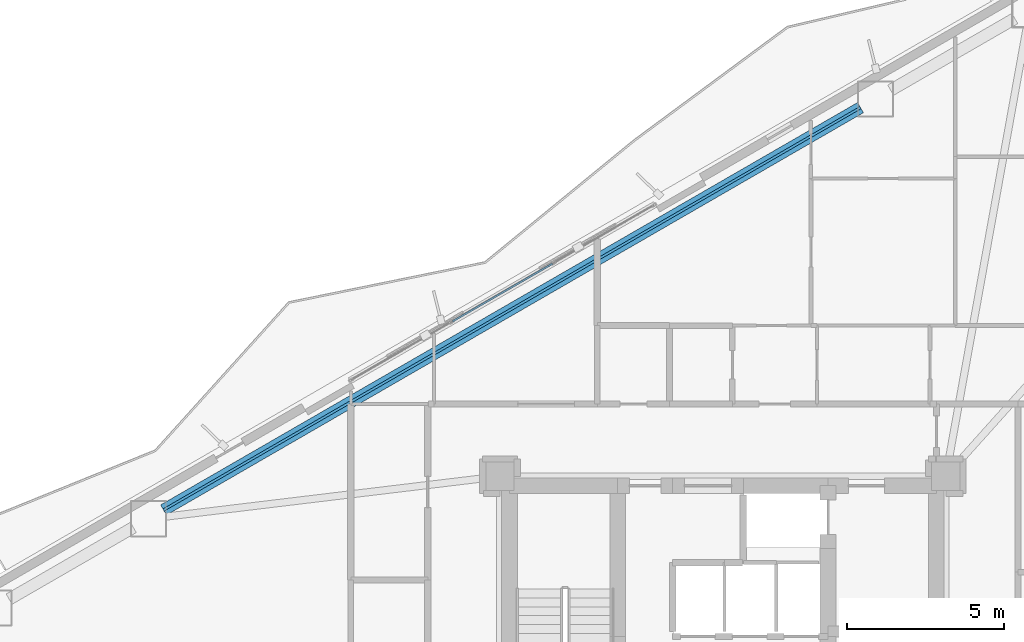
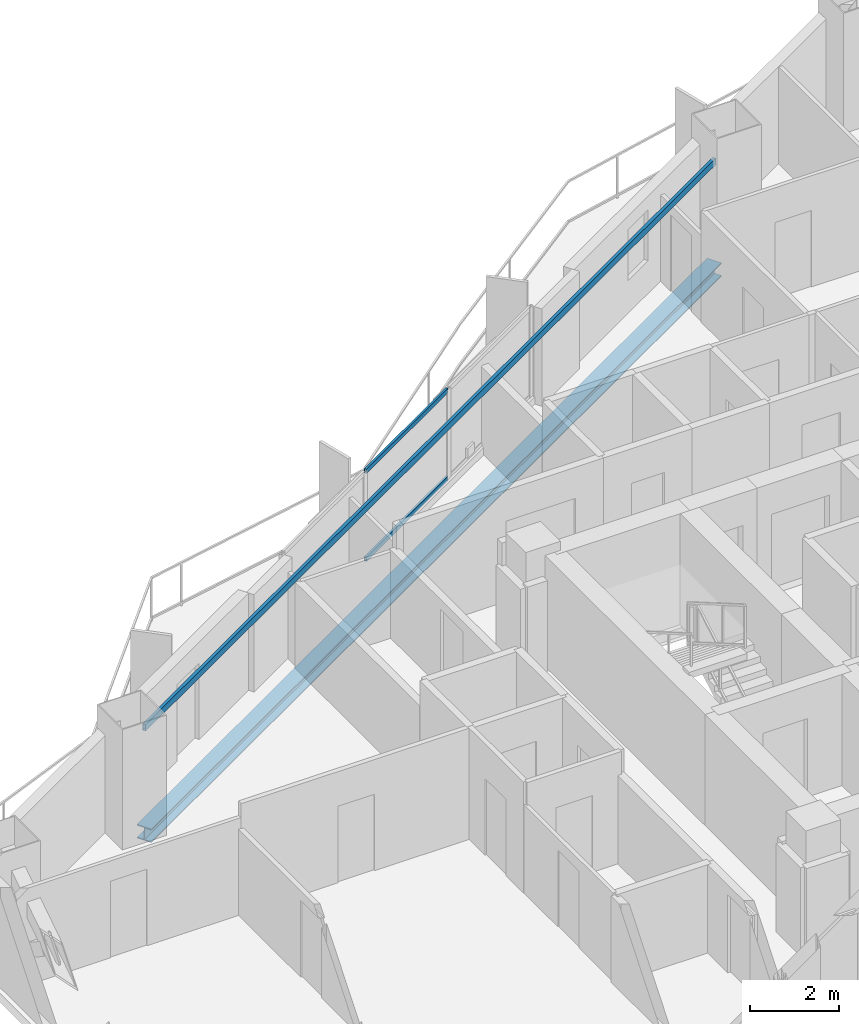
# One storey, part 12 of 22: 2 beams, 2 members, 1 element without a shape of its own.
"""IFC4 building model written with IfcOpenShell, lengths in metres."""

from ifc_helpers import new_model, si_unit, direction, frame, origin, origin_2d, place, context, subcontext, project, spatial, hollow_rectangle, i_section, extrude, material, layer, layer_set, material_profile, profile_set, type_object, element, aggregate, save


model = new_model("IFC4")

# Units and contexts
model_context = context("Model", 3, precision=1e-05, world=origin(), true_north=direction((0.0, 1.0)))
body_context = subcontext(model_context, "Body", "Model", "MODEL_VIEW")
ifc_project = project(units=[si_unit("LENGTHUNIT", "METRE"), si_unit("AREAUNIT", "SQUARE_METRE"), si_unit("VOLUMEUNIT", "CUBIC_METRE"), si_unit("PLANEANGLEUNIT", "RADIAN"), si_unit("MASSUNIT", "GRAM", prefix="KILO")], contexts=[model_context])

# Site, building, storey
site_placement = place(None, origin())
site = spatial("IfcSite", under=ifc_project, at=site_placement, CompositionType="ELEMENT")
building_placement = place(site_placement, origin())
building = spatial("IfcBuilding", under=site, at=building_placement, Name="Mersakhor Tower and Convention Hall", CompositionType="ELEMENT")
storey_placement = place(building_placement, frame((0.0, 0.0, 76.800048828125)))
storey = spatial("IfcBuildingStorey", under=building, at=storey_placement, Name="L20", CompositionType="ELEMENT", Elevation=76.800048828125)

# Beams
ifc_material_1 = material(Name="Steel S355", Category="steel")
ifc_material_profile_1 = material_profile(ifc_material_1, hollow_rectangle(XDim=0.080078125, YDim=0.179931640625, WallThickness=0.008056640625, at=origin_2d()), Name="RHS 180x80x8")
ifc_profile_set_1 = profile_set([ifc_material_profile_1], Name="Steel S355")
beam_type_1 = type_object("IfcBeamType", Name="BM-GRT-RHS180", PredefinedType="USERDEFINED", material=ifc_profile_set_1)
beam_1_placement = place(storey_placement, frame((11.18310546875, 31.976318359375, 2.47998046875), z_axis=(0.866022538643, 0.500004962538, 0.0), x_axis=(-0.500004962538, 0.866022538643, 0.0)))
element("IfcBeam", 1, at=beam_1_placement, inside=storey, type_object=beam_type_1, Name="L20 Facade Support Girt GRT-F1", ObjectType="GIRT", PredefinedType="USERDEFINED", context=body_context, shape_type="SweptSolid", body=[
    extrude(hollow_rectangle(XDim=0.080078125, YDim=0.179931640625, WallThickness=0.008056640625, at=origin_2d()), origin(), (0.0, 0.0, 1.0), 25.633544921875),
])
ifc_material_2 = material(Name="Steel S355", Category="steel")
ifc_material_profile_2 = material_profile(ifc_material_2, i_section(OverallWidth=0.374755859375, OverallDepth=0.37451171875, WebThickness=0.0166015625, FlangeThickness=0.027099609375, at=origin_2d()), Name="UC 356x368x202")
ifc_profile_set_2 = profile_set([ifc_material_profile_2], Name="Steel S355")
beam_type_2 = type_object("IfcBeamType", Name="BM-SPD-UC356", PredefinedType="SPANDREL", material=ifc_profile_set_2)
beam_2_placement = place(storey_placement, frame((11.18310546875, 31.976318359375, -0.437255859375), z_axis=(0.866022538643, 0.500004962538, 0.0), x_axis=(-0.500004962538, 0.866022538643, 0.0)))
element("IfcBeam", 2, at=beam_2_placement, inside=storey, type_object=beam_type_2, Name="L20 Perimeter Spandrel Beam SPB-02", PredefinedType="SPANDREL", context=body_context, shape_type="SweptSolid", body=[
    extrude(i_section(OverallWidth=0.374755859375, OverallDepth=0.37451171875, WebThickness=0.0166015625, FlangeThickness=0.027099609375, at=origin_2d()), origin(), (0.0, 0.0, 1.0), 25.633544921875),
])

# Curtain wall, members
ifc_material_3 = material(Name="Dark solar low-E aluminium curtain wall", Category="aluminium")
ifc_layer = layer(ifc_material_3, 0.159912109375)
ifc_layer_set = layer_set([ifc_layer], Name="Dark solar low-E aluminium curtain wall")
curtain_wall_type = type_object("IfcCurtainWallType", Name="CW-SYS-01", PredefinedType="USERDEFINED", material=ifc_layer_set)
curtain_wall_placement = place(storey_placement, origin())
curtain_wall = element("IfcCurtainWall", 3, at=curtain_wall_placement, inside=storey, type_object=curtain_wall_type, Name="L20 Dark-Glass Curtain Wall F1-B2", ObjectType="CURTAIN WALL", PredefinedType="USERDEFINED")
ifc_material_4 = material(Name="Anodised aluminium EN AW-6063 T6", Category="aluminium")
ifc_material_profile_3 = material_profile(ifc_material_4, hollow_rectangle(XDim=0.06005859375, YDim=0.1201171875, WallThickness=0.0048828125, at=origin_2d()), Name="RHS 120x60x5")
ifc_profile_set_3 = profile_set([ifc_material_profile_3], Name="Anodised aluminium EN AW-6063 T6")
member_type = type_object("IfcMemberType", Name="CWT-120x60", PredefinedType="USERDEFINED", material=ifc_profile_set_3)
member_1_placement = place(storey_placement, frame((20.394287109375, 37.9873046875, 0.22998046875), z_axis=(0.866039286129, 0.499975954304, 0.0), x_axis=(-0.499975954304, 0.866039286129, 0.0)))
member_1 = element("IfcMember", 4, at=member_1_placement, type_object=member_type, Name="CW-01 transom 2.1", ObjectType="TRANSOM", PredefinedType="USERDEFINED", context=body_context, shape_type="SweptSolid", body=[
    extrude(hollow_rectangle(XDim=0.06005859375, YDim=0.1201171875, WallThickness=0.0048828125, at=origin_2d()), origin(), (0.0, 0.0, 1.0), 3.668212890625),
])
member_2_placement = place(storey_placement, frame((20.394287109375, 37.9873046875, 2.639892578125), z_axis=(0.866039286129, 0.499975954304, 0.0), x_axis=(-0.499975954304, 0.866039286129, 0.0)))
member_2 = element("IfcMember", 5, at=member_2_placement, type_object=member_type, Name="CW-01 transom 2.2", ObjectType="TRANSOM", PredefinedType="USERDEFINED", context=body_context, shape_type="SweptSolid", body=[
    extrude(hollow_rectangle(XDim=0.06005859375, YDim=0.1201171875, WallThickness=0.0048828125, at=origin_2d()), origin(), (0.0, 0.0, 1.0), 3.668212890625),
])
aggregate(curtain_wall, [member_1, member_2])

save(model, "model.ifc")
